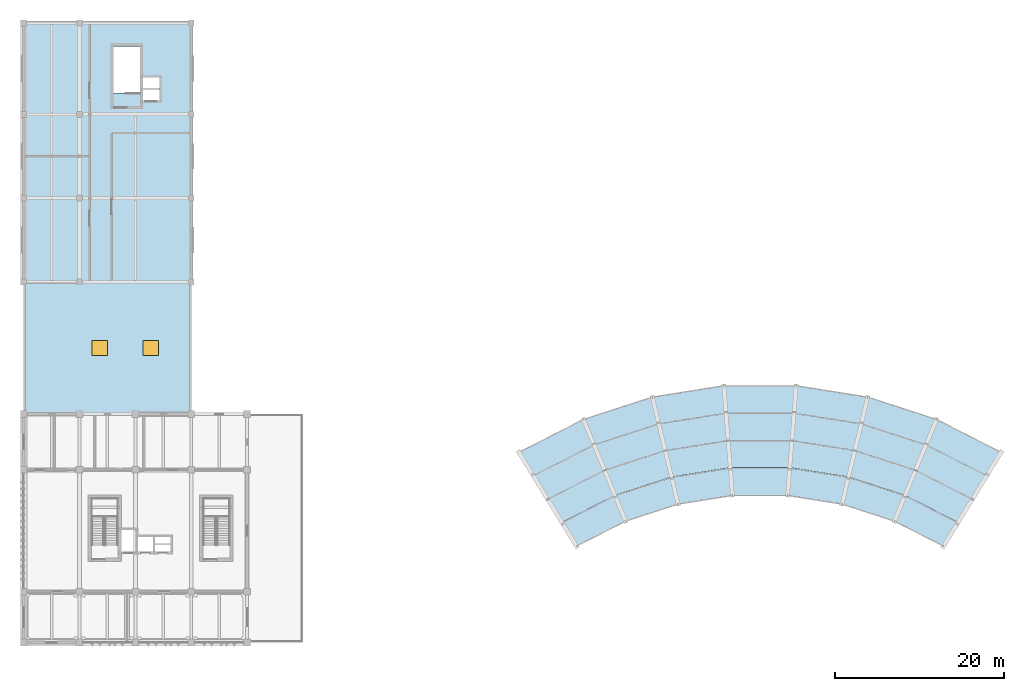
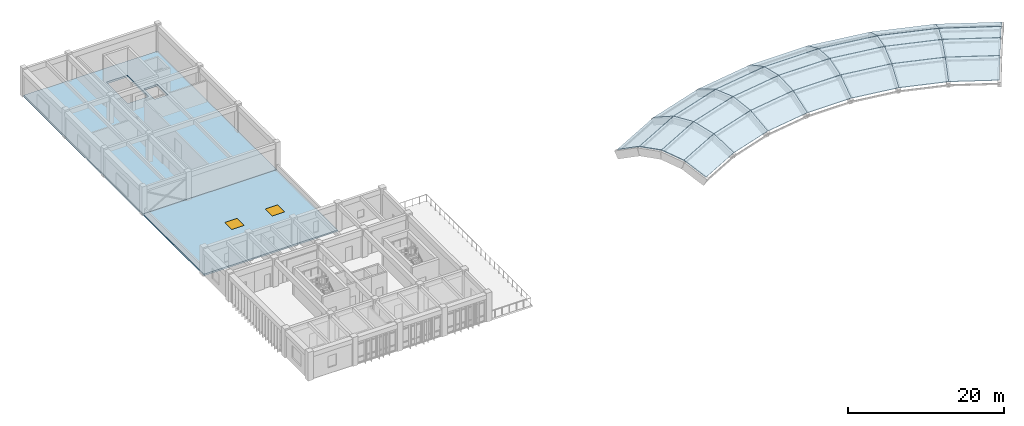
# One storey, part 8 of 18: 30 slabs, 2 windows, 2 openings.
"""IFC4 building model written with IfcOpenShell, lengths in metres."""

from ifc_helpers import new_model, si_unit, direction, frame, origin, origin_2d, place, context, subcontext, project, spatial, polyline, rectangle, outline, extrude, material, layer, layer_set, type_object, element, fill, save


model = new_model("IFC4")

# Units and contexts
model_context = context("Model", 3, precision=1e-05, world=origin(), true_north=direction((0.0, 1.0)))
body_context = subcontext(model_context, "Body", "Model", "MODEL_VIEW")
ifc_project = project(units=[si_unit("LENGTHUNIT", "METRE"), si_unit("AREAUNIT", "SQUARE_METRE"), si_unit("VOLUMEUNIT", "CUBIC_METRE"), si_unit("PLANEANGLEUNIT", "RADIAN"), si_unit("MASSUNIT", "GRAM", prefix="KILO")], contexts=[model_context])

# Site, building, storey
site_placement = place(None, origin())
site = spatial("IfcSite", under=ifc_project, at=site_placement, CompositionType="ELEMENT")
building_placement = place(site_placement, origin())
building = spatial("IfcBuilding", under=site, at=building_placement, Name="Miralva Faculty of Natural Sciences", CompositionType="ELEMENT")
storey_placement = place(building_placement, frame((0.0, 0.0, 28.5)))
storey = spatial("IfcBuildingStorey", under=building, at=storey_placement, Name="L06", CompositionType="ELEMENT", Elevation=28.5)

# Slab
ifc_material_1 = material(Name="Concrete C40/50", Category="concrete")
ifc_layer_1 = layer(ifc_material_1, 0.300048828125, Name="SL-FL06")
ifc_layer_set_1 = layer_set([ifc_layer_1], Name="Concrete C40/50")
slab_type_1 = type_object("IfcSlabType", Name="SL-FL06", PredefinedType="FLOOR", material=ifc_layer_set_1)
slab_1_placement = place(storey_placement, frame((0.0, 0.0, -0.300048828125)))
element("IfcSlab", 1, at=slab_1_placement, inside=storey, type_object=slab_type_1, Name="V4 L06 floor slab", PredefinedType="FLOOR", context=body_context, shape_type="SweptSolid", body=[
    extrude(outline(polyline([(22.800048828125, 45.60009765625), (3.0, 45.60009765625), (3.0, 76.199951171875), (22.800048828125, 76.199951171875), (22.800048828125, 45.60009765625)]), holes=[polyline([(16.72509765625, 67.925048828125), (13.625, 67.925048828125), (13.625, 73.425048828125), (16.72509765625, 73.425048828125), (16.72509765625, 67.925048828125)]), polyline([(19.050048828125, 67.050048828125), (17.050048828125, 67.050048828125), (17.050048828125, 69.75), (19.050048828125, 69.75), (19.050048828125, 67.050048828125)])]), origin(), (0.0, 0.0, 1.0), 0.300048828125),
])

# Slab, openings, windows
ifc_layer_2 = layer(ifc_material_1, 0.25, Name="SL-RF01")
ifc_layer_set_2 = layer_set([ifc_layer_2], Name="Concrete C40/50")
slab_type_2 = type_object("IfcSlabType", Name="SL-RF01", PredefinedType="ROOF", material=ifc_layer_set_2)
slab_2_placement = place(storey_placement, frame((0.0, 0.0, -0.25)))
slab_2 = element("IfcSlab", 2, at=slab_2_placement, inside=storey, type_object=slab_type_2, Name="South Laboratory Maintenance Roof", PredefinedType="ROOF", context=body_context, shape_type="SweptSolid", body=[
    extrude(outline(polyline([(22.800048828125, 30.0), (3.0, 30.0), (3.0, 45.60009765625), (22.800048828125, 45.60009765625), (22.800048828125, 30.0)])), origin(), (0.0, 0.0, 1.0), 0.25),
])
opening_1_placement = place(slab_2_placement, frame((12.0, 37.800048828125, 0.0)))
opening_1 = element("IfcOpeningElement", 3, at=opening_1_placement, cuts=slab_2, Name="Opening SK-05", PredefinedType="OPENING", context=body_context, shape_type="SweptSolid", body=[
    extrude(rectangle(XDim=1.800048828125, YDim=1.800048828125, at=origin_2d()), frame((0.0, 0.0, -0.010009765625)), (0.0, 0.0, 1.0), 0.27001953125),
])
opening_2_placement = place(slab_2_placement, frame((18.0, 37.800048828125, 0.0)))
opening_2 = element("IfcOpeningElement", 4, at=opening_2_placement, cuts=slab_2, Name="Opening SK-05", PredefinedType="OPENING", context=body_context, shape_type="SweptSolid", body=[
    extrude(rectangle(XDim=1.800048828125, YDim=1.800048828125, at=origin_2d()), frame((0.0, 0.0, -0.010009765625)), (0.0, 0.0, 1.0), 0.27001953125),
])
ifc_material_2 = material(Name="Laminated solar-control glass", Category="glass")
window_type = type_object("IfcWindowType", Name="WN-LDM2", PartitioningType="SINGLE_PANEL", PredefinedType="LIGHTDOME", material=ifc_material_2)
window_1_placement = place(opening_1_placement, frame((0.0, 0.0, 0.199951171875)))
window_1 = element("IfcWindow", 5, at=window_1_placement, inside=storey, type_object=window_type, Name="Roof opening SK-05 L06-10", OverallHeight=1.800048828125, OverallWidth=1.800048828125, PartitioningType="SINGLE_PANEL", PredefinedType="LIGHTDOME", context=body_context, shape_type="SweptSolid", body=[
    extrude(rectangle(XDim=1.800048828125, YDim=1.800048828125, at=origin_2d()), origin(), (0.0, 0.0, 1.0), 0.050048828125),
])
fill(opening_1, window_1)
window_2_placement = place(opening_2_placement, frame((0.0, 0.0, 0.199951171875)))
window_2 = element("IfcWindow", 6, at=window_2_placement, inside=storey, type_object=window_type, Name="Roof opening SK-05 L06-11", OverallHeight=1.800048828125, OverallWidth=1.800048828125, PartitioningType="SINGLE_PANEL", PredefinedType="LIGHTDOME", context=body_context, shape_type="SweptSolid", body=[
    extrude(rectangle(XDim=1.800048828125, YDim=1.800048828125, at=origin_2d()), origin(), (0.0, 0.0, 1.0), 0.050048828125),
])
fill(opening_2, window_2)

# Slabs
ifc_layer_3 = layer(ifc_material_1, 0.139892578125, Name="SL-SH01")
ifc_layer_set_3 = layer_set([ifc_layer_3], Name="Concrete C40/50")
slab_type_3 = type_object("IfcSlabType", Name="SL-SH01", PredefinedType="ROOF", material=ifc_layer_set_3)
slab_3_placement = place(storey_placement, frame((68.305908203125, 14.401611328125, 1.800048828125), z_axis=(0.200472174286, -0.393440979684, 0.897226338692), x_axis=(0.890999664614, 0.454003962147, 3.481389e-06)))
element("IfcSlab", 7, at=slab_3_placement, inside=storey, type_object=slab_type_3, Name="Thin concrete shell roof bay 1 strip 3", PredefinedType="ROOF", context=body_context, shape_type="SweptSolid", body=[
    extrude(outline(polyline([(0.0, 0.0), (6.515356941057295, 0.0), (6.767138746307982, 3.5666468549266197), (-0.2517838910702563, 3.566753560537671), (0.0, 0.0)])), origin(), (0.0, 0.0, -1.0), 0.139892578125),
])
slab_4_placement = place(storey_placement, frame((66.607666015625, 17.172607421875, 3.375), z_axis=(0.073484055463, -0.144223048108, 0.986812953901), x_axis=(0.891002814632, 0.453997780074, 2.476081e-06)))
element("IfcSlab", 8, at=slab_4_placement, inside=storey, type_object=slab_type_3, Name="Thin concrete shell roof bay 1 strip 4", PredefinedType="ROOF", context=body_context, shape_type="SweptSolid", body=[
    extrude(outline(polyline([(0.0, 0.0), (7.025255899226286, 0.0), (7.277228847888193, 3.242734181802092), (-0.2518102784516438, 3.24295682211295), (0.0, 0.0)])), origin(), (0.0, 0.0, -1.0), 0.139892578125),
])
slab_5_placement = place(storey_placement, frame((64.90966796875, 19.94384765625, 3.89990234375), z_axis=(-0.073482994039, 0.144220525386, 0.986813401634), x_axis=(0.891005951975, 0.453991622769, -1.140336e-06)))
element("IfcSlab", 9, at=slab_5_placement, inside=storey, type_object=slab_type_3, Name="Thin concrete shell roof bay 1 strip 5", PredefinedType="ROOF", context=body_context, shape_type="SweptSolid", body=[
    extrude(outline(polyline([(0.0, 0.0), (7.535154857798431, 0.0), (7.786887461110301, 3.2428453307073055), (-0.2518330945985812, 3.2429550504320344), (0.0, 0.0)])), origin(), (0.0, 0.0, -1.0), 0.139892578125),
])
slab_6_placement = place(storey_placement, frame((63.21142578125, 22.71484375, 3.375), z_axis=(-0.200458988042, 0.393434139216, 0.897232284424), x_axis=(0.891014326853, 0.453975185815, 2.779475e-06)))
element("IfcSlab", 10, at=slab_6_placement, inside=storey, type_object=slab_type_3, Name="Thin concrete shell roof bay 1 strip 6", PredefinedType="ROOF", context=body_context, shape_type="SweptSolid", body=[
    extrude(outline(polyline([(0.0, 0.0), (8.045271348837185, 8.881784197001252e-16), (8.297050776123326, 3.5668500220883264), (-0.2518971063719756, 3.5667455666517647), (0.0, 0.0)])), origin(), (0.0, 0.0, -1.0), 0.139892578125),
])
slab_7_placement = place(storey_placement, frame((74.111083984375, 17.359619140625, 1.800048828125), z_axis=(0.136449419133, -0.419966300348, 0.897223418436), x_axis=(0.951061377248, 0.309002033497, -1.484221e-06)))
element("IfcSlab", 11, at=slab_7_placement, inside=storey, type_object=slab_type_3, Name="Thin concrete shell roof bay 2 strip 3", PredefinedType="ROOF", context=body_context, shape_type="SweptSolid", body=[
    extrude(outline(polyline([(0.0, 0.0), (6.515129033878388, 0.0), (6.767026996960461, 3.5666750259800817), (-0.2520270322569297, 3.5666295351140644), (0.0, 0.0)])), origin(), (0.0, 0.0, -1.0), 0.139892578125),
])
slab_8_placement = place(storey_placement, frame((72.8671875, 20.362060546875, 3.375), z_axis=(0.050020365826, -0.153943907332, 0.986812665301), x_axis=(0.951057239781, 0.309014767702, -1.307535e-06)))
element("IfcSlab", 12, at=slab_8_placement, inside=storey, type_object=slab_type_3, Name="Thin concrete shell roof bay 2 strip 4", PredefinedType="ROOF", context=body_context, shape_type="SweptSolid", body=[
    extrude(outline(polyline([(0.0, 0.0), (7.025230174682671, -4.440892098500626e-16), (7.277172636837429, 3.242869037940265), (-0.2517503421042078, 3.242751471537644), (0.0, 0.0)])), origin(), (0.0, 0.0, -1.0), 0.139892578125),
])
slab_9_placement = place(storey_placement, frame((71.62353515625, 23.36474609375, 3.89990234375), z_axis=(-0.050016335806, 0.153941309524, 0.986813274827), x_axis=(0.951063045759, 0.308996898025, 1.318941e-06)))
element("IfcSlab", 13, at=slab_9_placement, inside=storey, type_object=slab_type_3, Name="Thin concrete shell roof bay 2 strip 5", PredefinedType="ROOF", context=body_context, shape_type="SweptSolid", body=[
    extrude(outline(polyline([(0.0, 0.0), (7.53525587443518, 0.0), (7.786906009943859, 3.2429481530956017), (-0.2520426664248983, 3.242821246497586), (0.0, 0.0)])), origin(), (0.0, 0.0, -1.0), 0.139892578125),
])
slab_10_placement = place(storey_placement, frame((70.3798828125, 26.3671875, 3.375), z_axis=(-0.136456028717, 0.419964152749, 0.89722341846), x_axis=(0.951049034265, 0.309040020572, -1.0427809e-05)))
element("IfcSlab", 14, at=slab_10_placement, inside=storey, type_object=slab_type_3, Name="Thin concrete shell roof bay 2 strip 6", PredefinedType="ROOF", context=body_context, shape_type="SweptSolid", body=[
    extrude(outline(polyline([(0.0, 0.0), (8.045200269376437, 0.0), (8.29716936279014, 3.5664563450195375), (-0.2518050050593701, 3.566848215355016), (0.0, 0.0)])), origin(), (0.0, 0.0, -1.0), 0.139892578125),
])
slab_11_placement = place(storey_placement, frame((80.307373046875, 19.372802734375, 1.800048828125), z_axis=(0.069078347789, -0.436144692863, 0.897221259642), x_axis=(0.987686941336, 0.156443299291, 4.606087e-06)))
element("IfcSlab", 15, at=slab_11_placement, inside=storey, type_object=slab_type_3, Name="Thin concrete shell roof bay 3 strip 3", PredefinedType="ROOF", context=body_context, shape_type="SweptSolid", body=[
    extrude(outline(polyline([(0.0, 0.0), (6.51528397809451, 1.1102230246251565e-16), (6.767051339962701, 3.566546266032599), (-0.25172215030788503, 3.566687438337804), (0.0, 0.0)])), origin(), (0.0, 0.0, -1.0), 0.139892578125),
])
slab_12_placement = place(storey_placement, frame((79.548583984375, 22.532958984375, 3.375), z_axis=(0.025322518601, -0.15987453305, 0.986812496746), x_axis=(0.987685412135, 0.156452953476, 2.189535e-06)))
element("IfcSlab", 16, at=slab_12_placement, inside=storey, type_object=slab_type_3, Name="Thin concrete shell roof bay 3 strip 4", PredefinedType="ROOF", context=body_context, shape_type="SweptSolid", body=[
    extrude(outline(polyline([(0.0, 0.0), (7.025233958699078, 0.0), (7.277267627838734, 3.2426912302978455), (-0.25169697562351473, 3.2428881007173027), (0.0, 0.0)])), origin(), (0.0, 0.0, -1.0), 0.139892578125),
])
slab_13_placement = place(storey_placement, frame((78.7900390625, 25.693115234375, 3.89990234375), z_axis=(-0.025323420071, 0.159872485472, 0.986812805341), x_axis=(0.987684345146, 0.156459689217, -2.081267e-06)))
element("IfcSlab", 17, at=slab_13_placement, inside=storey, type_object=slab_type_3, Name="Thin concrete shell roof bay 3 strip 5", PredefinedType="ROOF", context=body_context, shape_type="SweptSolid", body=[
    extrude(outline(polyline([(0.0, 0.0), (7.5351839396115325, -2.220446049250313e-16), (7.786998240660805, 3.242727232992345), (-0.2519163423429901, 3.2429274846467213), (0.0, 0.0)])), origin(), (0.0, 0.0, -1.0), 0.139892578125),
])
slab_14_placement = place(storey_placement, frame((78.03125, 28.853515625, 3.375), z_axis=(-0.069083083637, 0.436159651152, 0.897213623538), x_axis=(0.98768795917, 0.156436873242, 1.201308e-06)))
element("IfcSlab", 18, at=slab_14_placement, inside=storey, type_object=slab_type_3, Name="Thin concrete shell roof bay 3 strip 6", PredefinedType="ROOF", context=body_context, shape_type="SweptSolid", body=[
    extrude(outline(polyline([(0.0, 0.0), (8.045095724770265, 0.0), (8.297074255541801, 3.566514114496661), (-0.2517903097668005, 3.5664689727376446), (0.0, 0.0)])), origin(), (0.0, 0.0, -1.0), 0.139892578125),
])
slab_15_placement = place(storey_placement, frame((86.742431640625, 20.39208984375, 1.800048828125), z_axis=(0.0, -0.441591625956, 0.897216158953), x_axis=(1.0, 0.0, 0.0)))
element("IfcSlab", 19, at=slab_15_placement, inside=storey, type_object=slab_type_3, Name="Thin concrete shell roof bay 4 strip 3", PredefinedType="ROOF", context=body_context, shape_type="SweptSolid", body=[
    extrude(outline(polyline([(0.0, 0.0), (6.51513671875, 0.0), (6.76708984375, 3.566533148054932), (-0.251953125, 3.566533148054932), (0.0, 0.0)])), origin(), (0.0, 0.0, -1.0), 0.139892578125),
])
slab_16_placement = place(storey_placement, frame((86.4873046875, 23.632080078125, 3.375), z_axis=(0.0, -0.161871181739, 0.986811897234), x_axis=(1.0, 0.0, 0.0)))
element("IfcSlab", 20, at=slab_16_placement, inside=storey, type_object=slab_type_3, Name="Thin concrete shell roof bay 4 strip 4", PredefinedType="ROOF", context=body_context, shape_type="SweptSolid", body=[
    extrude(outline(polyline([(0.0, 0.0), (7.025390625, 0.0), (7.277099609375, 3.2427164496542753), (-0.251708984375, 3.2427164496542753), (0.0, 0.0)])), origin(), (0.0, 0.0, -1.0), 0.139892578125),
])
slab_17_placement = place(storey_placement, frame((86.232421875, 26.8720703125, 3.89990234375), z_axis=(0.0, 0.161871181739, 0.986811897234), x_axis=(1.0, 0.0, 0.0)))
element("IfcSlab", 21, at=slab_17_placement, inside=storey, type_object=slab_type_3, Name="Thin concrete shell roof bay 4 strip 5", PredefinedType="ROOF", context=body_context, shape_type="SweptSolid", body=[
    extrude(outline(polyline([(0.0, 0.0), (7.53515625, 0.0), (7.787109375, 3.2427164496542753), (-0.251953125, 3.2427164496542753), (0.0, 0.0)])), origin(), (0.0, 0.0, -1.0), 0.139892578125),
])
slab_18_placement = place(storey_placement, frame((85.977294921875, 30.112060546875, 3.375), z_axis=(0.0, 0.441591625956, 0.897216158953), x_axis=(1.0, 0.0, 0.0)))
element("IfcSlab", 22, at=slab_18_placement, inside=storey, type_object=slab_type_3, Name="Thin concrete shell roof bay 4 strip 6", PredefinedType="ROOF", context=body_context, shape_type="SweptSolid", body=[
    extrude(outline(polyline([(0.0, 0.0), (8.04541015625, 0.0), (8.297119140625, 3.566533148054932), (-0.251708984375, 3.566533148054932), (0.0, 0.0)])), origin(), (0.0, 0.0, -1.0), 0.139892578125),
])
slab_19_placement = place(storey_placement, frame((93.257568359375, 20.39208984375, 1.800048828125), z_axis=(-0.069078347789, -0.436144692863, 0.897221259642), x_axis=(0.987686941336, -0.156443299291, -4.606087e-06)))
element("IfcSlab", 23, at=slab_19_placement, inside=storey, type_object=slab_type_3, Name="Thin concrete shell roof bay 5 strip 3", PredefinedType="ROOF", context=body_context, shape_type="SweptSolid", body=[
    extrude(outline(polyline([(0.0, 0.0), (6.51528397809451, -1.1102230246251565e-16), (6.767006128402395, 3.5666874383378047), (-0.25176736186819004, 3.5665462660325984), (0.0, 0.0)])), origin(), (0.0, 0.0, -1.0), 0.139892578125),
])
slab_20_placement = place(storey_placement, frame((93.5126953125, 23.632080078125, 3.375), z_axis=(-0.025322518601, -0.15987453305, 0.986812496746), x_axis=(0.987685412135, -0.156452953476, -2.189535e-06)))
element("IfcSlab", 24, at=slab_20_placement, inside=storey, type_object=slab_type_3, Name="Thin concrete shell roof bay 5 strip 4", PredefinedType="ROOF", context=body_context, shape_type="SweptSolid", body=[
    extrude(outline(polyline([(0.0, 0.0), (7.025233958699078, 0.0), (7.276930934322593, 3.2428881007173027), (-0.2520336691396556, 3.2426912302978455), (0.0, 0.0)])), origin(), (0.0, 0.0, -1.0), 0.139892578125),
])
slab_21_placement = place(storey_placement, frame((93.767578125, 26.8720703125, 3.89990234375), z_axis=(0.025323420071, 0.159872485472, 0.986812805341), x_axis=(0.987684345146, -0.156459689217, 2.081267e-06)))
element("IfcSlab", 25, at=slab_21_placement, inside=storey, type_object=slab_type_3, Name="Thin concrete shell roof bay 5 strip 5", PredefinedType="ROOF", context=body_context, shape_type="SweptSolid", body=[
    extrude(outline(polyline([(0.0, 0.0), (7.5351839396115325, 2.220446049250313e-16), (7.787100281954522, 3.242927484646721), (-0.25181430104927194, 3.2427272329923458), (0.0, 0.0)])), origin(), (0.0, 0.0, -1.0), 0.139892578125),
])
slab_22_placement = place(storey_placement, frame((94.022705078125, 30.112060546875, 3.375), z_axis=(0.069083083637, 0.436159651152, 0.897213623538), x_axis=(0.98768795917, -0.156436873242, -1.201308e-06)))
element("IfcSlab", 26, at=slab_22_placement, inside=storey, type_object=slab_type_3, Name="Thin concrete shell roof bay 5 strip 6", PredefinedType="ROOF", context=body_context, shape_type="SweptSolid", body=[
    extrude(outline(polyline([(0.0, 0.0), (8.045095724770265, 0.0), (8.296886034537065, 3.5664689727376446), (-0.2519785307715372, 3.566514114496661), (0.0, 0.0)])), origin(), (0.0, 0.0, -1.0), 0.139892578125),
])
slab_23_placement = place(storey_placement, frame((99.692626953125, 19.372802734375, 1.800048828125), z_axis=(-0.136449419133, -0.419966300348, 0.897223418436), x_axis=(0.951061377248, -0.309002033497, 1.484221e-06)))
element("IfcSlab", 27, at=slab_23_placement, inside=storey, type_object=slab_type_3, Name="Thin concrete shell roof bay 6 strip 3", PredefinedType="ROOF", context=body_context, shape_type="SweptSolid", body=[
    extrude(outline(polyline([(0.0, 0.0), (6.515129033878388, 0.0), (6.7671560661353185, 3.5666295351140644), (-0.25189796308207235, 3.5666750259800812), (0.0, 0.0)])), origin(), (0.0, 0.0, -1.0), 0.139892578125),
])
slab_24_placement = place(storey_placement, frame((100.451416015625, 22.532958984375, 3.375), z_axis=(-0.050020365826, -0.153943907332, 0.986812665301), x_axis=(0.951057239781, -0.309014767702, 1.307535e-06)))
element("IfcSlab", 28, at=slab_24_placement, inside=storey, type_object=slab_type_3, Name="Thin concrete shell roof bay 6 strip 4", PredefinedType="ROOF", context=body_context, shape_type="SweptSolid", body=[
    extrude(outline(polyline([(0.0, 0.0), (7.025230174682671, 4.440892098500626e-16), (7.276980516786879, 3.242751471537644), (-0.2519424621547592, 3.2428690379402654), (0.0, 0.0)])), origin(), (0.0, 0.0, -1.0), 0.139892578125),
])
slab_25_placement = place(storey_placement, frame((101.2099609375, 25.693115234375, 3.89990234375), z_axis=(0.050016335806, 0.153941309524, 0.986813274827), x_axis=(0.951063045759, -0.308996898025, -1.318941e-06)))
element("IfcSlab", 29, at=slab_25_placement, inside=storey, type_object=slab_type_3, Name="Thin concrete shell roof bay 6 strip 5", PredefinedType="ROOF", context=body_context, shape_type="SweptSolid", body=[
    extrude(outline(polyline([(0.0, 0.0), (7.53525587443518, 0.0), (7.787298540860078, 3.2428212464975865), (-0.2516501355086797, 3.242948153095602), (0.0, 0.0)])), origin(), (0.0, 0.0, -1.0), 0.139892578125),
])
slab_26_placement = place(storey_placement, frame((101.96875, 28.853515625, 3.375), z_axis=(0.136456028717, 0.419964152749, 0.89722341846), x_axis=(0.951049034265, -0.309040020572, 1.0427809e-05)))
element("IfcSlab", 30, at=slab_26_placement, inside=storey, type_object=slab_type_3, Name="Thin concrete shell roof bay 6 strip 6", PredefinedType="ROOF", context=body_context, shape_type="SweptSolid", body=[
    extrude(outline(polyline([(0.0, 0.0), (8.045200269376437, 0.0), (8.297005274435808, 3.5668482153550154), (-0.2519690934137033, 3.566456345019537), (0.0, 0.0)])), origin(), (0.0, 0.0, -1.0), 0.139892578125),
])
slab_27_placement = place(storey_placement, frame((105.888916015625, 17.359619140625, 1.800048828125), z_axis=(-0.200472174286, -0.393440979684, 0.897226338692), x_axis=(0.890999664614, -0.454003962147, -3.481389e-06)))
element("IfcSlab", 31, at=slab_27_placement, inside=storey, type_object=slab_type_3, Name="Thin concrete shell roof bay 7 strip 3", PredefinedType="ROOF", context=body_context, shape_type="SweptSolid", body=[
    extrude(outline(polyline([(0.0, 0.0), (6.515356941057295, 0.0), (6.767140832127551, 3.566753560537671), (-0.25178180525068666, 3.5666468549266197), (0.0, 0.0)])), origin(), (0.0, 0.0, -1.0), 0.139892578125),
])
slab_28_placement = place(storey_placement, frame((107.1328125, 20.362060546875, 3.375), z_axis=(-0.073484055463, -0.144223048108, 0.986812953901), x_axis=(0.891002814632, -0.453997780074, -2.476081e-06)))
element("IfcSlab", 32, at=slab_28_placement, inside=storey, type_object=slab_type_3, Name="Thin concrete shell roof bay 7 strip 4", PredefinedType="ROOF", context=body_context, shape_type="SweptSolid", body=[
    extrude(outline(polyline([(0.0, 0.0), (7.025255899226286, 0.0), (7.27706617767793, 3.24295682211295), (-0.2519729486619067, 3.2427341818020916), (0.0, 0.0)])), origin(), (0.0, 0.0, -1.0), 0.139892578125),
])
slab_29_placement = place(storey_placement, frame((108.37646484375, 23.36474609375, 3.89990234375), z_axis=(0.073482994039, 0.144220525386, 0.986813401634), x_axis=(0.891005951975, -0.453991622769, 1.140336e-06)))
element("IfcSlab", 33, at=slab_29_placement, inside=storey, type_object=slab_type_3, Name="Thin concrete shell roof bay 7 strip 5", PredefinedType="ROOF", context=body_context, shape_type="SweptSolid", body=[
    extrude(outline(polyline([(0.0, 0.0), (7.535154857798431, 0.0), (7.786987952397012, 3.2429550504320344), (-0.25173260331187025, 3.242845330707306), (0.0, 0.0)])), origin(), (0.0, 0.0, -1.0), 0.139892578125),
])
slab_30_placement = place(storey_placement, frame((109.6201171875, 26.3671875, 3.375), z_axis=(0.200458988042, 0.393434139216, 0.897232284424), x_axis=(0.891014326853, -0.453975185815, -2.779475e-06)))
element("IfcSlab", 34, at=slab_30_placement, inside=storey, type_object=slab_type_3, Name="Thin concrete shell roof bay 7 strip 6", PredefinedType="ROOF", context=body_context, shape_type="SweptSolid", body=[
    extrude(outline(polyline([(0.0, 0.0), (8.045271348837185, -8.881784197001252e-16), (8.29716845520916, 3.566745566651764), (-0.2517794272861419, 3.566850022088325), (0.0, 0.0)])), origin(), (0.0, 0.0, -1.0), 0.139892578125),
])

save(model, "model.ifc")
